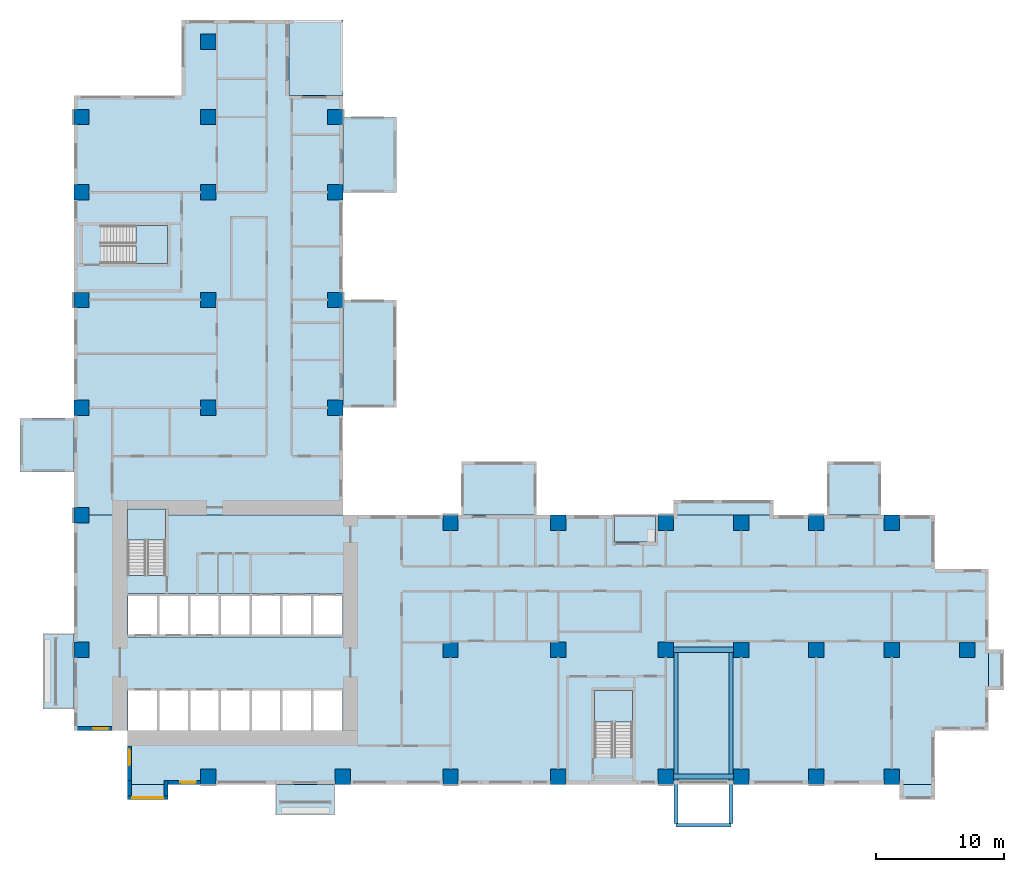
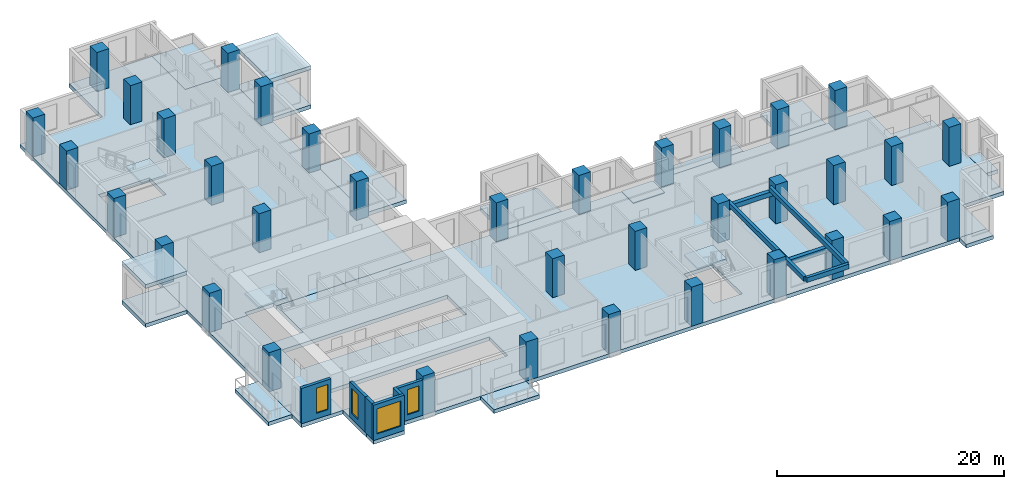
# One storey, part 1 of 14: 36 columns, 20 slabs, 6 walls, 5 beams, 4 windows, 4 openings, 3 elements without a shape of their own.
"""IFC4 building model written with IfcOpenShell, lengths in metres."""

from ifc_helpers import new_model, si_unit, direction, frame, frame_2d, origin, origin_2d, place, context, subcontext, project, spatial, polyline, rectangle, outline, extrude, source, transform, mapped, material, layer, layer_set, material_profile, profile_set, type_object, element, fill, aggregate, save


model = new_model("IFC4")

# Units and contexts
model_context = context("Model", 3, precision=1e-05, world=origin(), true_north=direction((0.0, 1.0)))
body_context = subcontext(model_context, "Body", "Model", "MODEL_VIEW")
ifc_project = project(units=[si_unit("LENGTHUNIT", "METRE"), si_unit("AREAUNIT", "SQUARE_METRE"), si_unit("VOLUMEUNIT", "CUBIC_METRE"), si_unit("PLANEANGLEUNIT", "RADIAN"), si_unit("MASSUNIT", "GRAM", prefix="KILO")], contexts=[model_context])

# Site, building, storey
site_placement = place(None, origin())
site = spatial("IfcSite", under=ifc_project, at=site_placement, CompositionType="ELEMENT")
building_placement = place(site_placement, origin())
building = spatial("IfcBuilding", under=site, at=building_placement, Name="Aurelian Terraces", CompositionType="ELEMENT")
storey_placement = place(building_placement, frame((0.0, 0.0, 90.9)))
storey = spatial("IfcBuildingStorey", under=building, at=storey_placement, Name="L19", CompositionType="ELEMENT", Elevation=90.9)

# Columns
ifc_material_1 = material(Name="Concrete fc' 83 MPa", Category="concrete")
ifc_material_profile_1 = material_profile(ifc_material_1, rectangle(XDim=1.2, YDim=1.2, at=origin_2d()))
ifc_profile_set_1 = profile_set([ifc_material_profile_1], Name="Concrete fc' 83 MPa")
column_type = type_object("IfcColumnType", Name="RC COLUMN 1200X1200 FC83", PredefinedType="COLUMN", material=ifc_profile_set_1)
shared_shape_1 = source(origin(), body_context, "Body", "SweptSolid", [
    extrude(rectangle(XDim=1.2, YDim=1.2, at=origin_2d()), origin(), (0.0, 0.0, 1.0), 4.2),
])
for number, where, z_axis, x_axis, name in (
    (1, (10.5, 0.6, 0.0), (0.0, 0.0, 1.0), (1.0, 0.0, 0.0), "Column 2/A L19"),
    (2, (21.0, 0.6, 0.0), (0.0, 0.0, 1.0), (1.0, 0.0, 0.0), "Column 3/A L19"),
    (3, (29.4, 0.6, 0.0), (0.0, 0.0, 1.0), (1.0, 0.0, 0.0), "Column 4/A L19"),
    (4, (37.8, 0.6, 0.0), (0.0, 0.0, 1.0), (1.0, 0.0, 0.0), "Column 5/A L19"),
    (5, (46.2, 0.6, 0.0), (0.0, 0.0, 1.0), (1.0, 0.0, 0.0), "Column 6/A L19"),
    (6, (52.08, 0.6, 0.0), (0.0, 0.0, 1.0), (1.0, 0.0, 0.0), "Column 7/A L19"),
    (7, (57.96, 0.6, 0.0), (0.0, 0.0, 1.0), (1.0, 0.0, 0.0), "Column 8/A L19"),
    (8, (63.84, 0.6, 0.0), (0.0, 0.0, 1.0), (1.0, 0.0, 0.0), "Column 9/A L19"),
    (9, (0.6, 10.5, 0.0), (0.0, 0.0, 1.0), (1.0, 0.0, 0.0), "Column 1/B L19"),
    (10, (29.4, 10.5, 0.0), (0.0, 0.0, 1.0), (1.0, 0.0, 0.0), "Column 4/B L19"),
    (11, (37.8, 10.5, 0.0), (0.0, 0.0, 1.0), (1.0, 0.0, 0.0), "Column 5/B L19"),
    (12, (46.2, 10.5, 0.0), (0.0, 0.0, 1.0), (1.0, 0.0, 0.0), "Column 6/B L19"),
    (13, (52.08, 10.5, 0.0), (0.0, 0.0, 1.0), (1.0, 0.0, 0.0), "Column 7/B L19"),
    (14, (57.96, 10.5, 0.0), (0.0, 0.0, 1.0), (1.0, 0.0, 0.0), "Column 8/B L19"),
    (15, (63.84, 10.5, 0.0), (0.0, 0.0, 1.0), (1.0, 0.0, 0.0), "Column 9/B L19"),
    (16, (69.72, 10.5, 0.0), (0.0, 0.0, 1.0), (1.0, 0.0, 0.0), "Column 10/B L19"),
    (17, (0.6, 21.0, 0.0), (0.0, 0.0, 1.0), (1.0, 0.0, 0.0), "Column 1/C L19"),
    (18, (29.4, 20.4, 0.0), (0.0, 0.0, 1.0), (1.0, 0.0, 0.0), "Column 4/C L19"),
    (19, (37.8, 20.4, 0.0), (0.0, 0.0, 1.0), (1.0, 0.0, 0.0), "Column 5/C L19"),
    (20, (46.2, 20.4, 0.0), (0.0, 0.0, 1.0), (1.0, 0.0, 0.0), "Column 6/C L19"),
    (21, (52.08, 20.4, 0.0), (0.0, 0.0, 1.0), (1.0, 0.0, 0.0), "Column 7/C L19"),
    (22, (57.96, 20.4, 0.0), (0.0, 0.0, 1.0), (1.0, 0.0, 0.0), "Column 8/C L19"),
    (23, (63.84, 20.4, 0.0), (0.0, 0.0, 1.0), (1.0, 0.0, 0.0), "Column 9/C L19"),
    (24, (0.6, 29.4, 0.0), (0.0, 0.0, 1.0), (1.0, 0.0, 0.0), "Column 1/D L19"),
    (25, (10.5, 29.4, 0.0), (0.0, 0.0, 1.0), (1.0, 0.0, 0.0), "Column 2/D L19"),
    (26, (20.4, 29.4, 0.0), (0.0, 0.0, 1.0), (1.0, 0.0, 0.0), "Column 3/D L19"),
    (27, (0.6, 37.8, 0.0), (0.0, 0.0, 1.0), (1.0, 0.0, 0.0), "Column 1/E L19"),
    (28, (10.5, 37.8, 0.0), (0.0, 0.0, 1.0), (1.0, 0.0, 0.0), "Column 2/E L19"),
    (29, (20.4, 37.8, 0.0), (0.0, 0.0, 1.0), (1.0, 0.0, 0.0), "Column 3/E L19"),
    (30, (0.6, 46.2, 0.0), (0.0, 0.0, 1.0), (1.0, 0.0, 0.0), "Column 1/F L19"),
    (31, (10.5, 46.2, 0.0), (0.0, 0.0, 1.0), (1.0, 0.0, 0.0), "Column 2/F L19"),
    (32, (20.4, 46.2, 0.0), (0.0, 0.0, 1.0), (1.0, 0.0, 0.0), "Column 3/F L19"),
    (33, (0.6, 52.08, 0.0), (0.0, 0.0, 1.0), (1.0, 0.0, 0.0), "Column 1/G L19"),
    (34, (10.5, 52.08, 0.0), (0.0, 0.0, 1.0), (1.0, 0.0, 0.0), "Column 2/G L19"),
    (35, (20.4, 52.08, 0.0), (0.0, 0.0, 1.0), (1.0, 0.0, 0.0), "Column 3/G L19"),
    (36, (10.5, 57.96, 0.0), (0.0, 0.0, 1.0), (1.0, 0.0, 0.0), "Column 2/H L19"),
):
    element("IfcColumn", number, at=place(storey_placement, frame(where, z_axis=z_axis, x_axis=x_axis)), inside=storey, type_object=column_type, Name=name, PredefinedType="COLUMN", context=body_context, shape_type="MappedRepresentation", body=[
        mapped(shared_shape_1, transform((0.0, 0.0, 0.0), scale=1.0)),
    ])

# Beams
ifc_material_2 = material(Name="Concrete fc' 40 MPa", Category="concrete")
ifc_material_profile_2 = material_profile(ifc_material_2, rectangle(XDim=0.4, YDim=0.5, at=origin_2d()))
ifc_profile_set_2 = profile_set([ifc_material_profile_2], Name="Concrete fc' 40 MPa")
beam_type_1 = type_object("IfcBeamType", Name="CONCRETE EDGE GIRDER 400X500", PredefinedType="BEAM", material=ifc_profile_set_2)
shared_shape_2 = source(origin(), body_context, "Body", "SweptSolid", [
    extrude(rectangle(XDim=0.4, YDim=0.5, at=origin_2d()), origin(), (0.0, 0.0, 1.0), 4.68),
])
for number, where, z_axis, x_axis, name in (
    (37, (46.8, 0.6, 3.05), (1.0, 0.0, 0.0), (0.0, 1.0, 0.0), "Box girder L19 O59"),
    (38, (46.8, 10.5, 3.05), (1.0, 0.0, 0.0), (0.0, 1.0, 0.0), "Box girder L19 I60"),
):
    element("IfcBeam", number, at=place(storey_placement, frame(where, z_axis=z_axis, x_axis=x_axis)), inside=storey, type_object=beam_type_1, Name=name, PredefinedType="BEAM", context=body_context, shape_type="MappedRepresentation", body=[
        mapped(shared_shape_2, transform((0.0, 0.0, 0.0), scale=1.0)),
    ])
ifc_material_profile_3 = material_profile(ifc_material_2, rectangle(XDim=0.3, YDim=0.5, at=origin_2d()))
ifc_profile_set_3 = profile_set([ifc_material_profile_3], Name="Concrete fc' 40 MPa")
beam_type_2 = type_object("IfcBeamType", Name="CONCRETE CANTILEVER BEAM 300X500", PredefinedType="BEAM", material=ifc_profile_set_3)
shared_shape_3 = source(origin(), body_context, "Body", "SweptSolid", [
    extrude(rectangle(XDim=0.3, YDim=0.5, at=origin_2d()), origin(), (0.0, 0.0, 1.0), 13.55),
])
for number, where, z_axis, x_axis, name in (
    (39, (47.0, -3.05, 3.55), (0.0, 1.0, 0.0), (-1.0, 0.0, 0.0), "Box cantilever beam J28.1"),
    (40, (51.28, -3.05, 3.55), (0.0, 1.0, 0.0), (-1.0, 0.0, 0.0), "Box cantilever beam J28.2"),
):
    element("IfcBeam", number, at=place(storey_placement, frame(where, z_axis=z_axis, x_axis=x_axis)), inside=storey, type_object=beam_type_2, Name=name, PredefinedType="BEAM", context=body_context, shape_type="MappedRepresentation", body=[
        mapped(shared_shape_3, transform((0.0, 0.0, 0.0), scale=1.0)),
    ])
shared_shape_4 = source(origin(), body_context, "Body", "SweptSolid", [
    extrude(rectangle(XDim=0.3, YDim=0.5, at=origin_2d()), origin(), (0.0, 0.0, 1.0), 4.28),
])
beam_placement = place(storey_placement, frame((47.0, -3.2, 3.55), z_axis=(1.0, 0.0, 0.0), x_axis=(0.0, 1.0, 0.0)))
element("IfcBeam", 41, at=beam_placement, inside=storey, type_object=beam_type_2, Name="Box tip beam J28", PredefinedType="BEAM", context=body_context, shape_type="MappedRepresentation", body=[
    mapped(shared_shape_4, transform((0.0, 0.0, 0.0), scale=1.0)),
])

# Slabs
ifc_layer_1 = layer(ifc_material_2, 0.4)
ifc_layer_set_1 = layer_set([ifc_layer_1], Name="Bay floor 400")
slab_type_1 = type_object("IfcSlabType", Name="Bay floor 400", PredefinedType="NOTDEFINED", material=ifc_layer_set_1)
slab_1_placement = place(storey_placement, frame((0.0, 0.0, -0.4)))
element("IfcSlab", 42, at=slab_1_placement, inside=storey, type_object=slab_type_1, Name="Bay floor L19 F07.21", PredefinedType="NOTDEFINED", context=body_context, shape_type="SweptSolid", body=[
    extrude(outline(polyline([(54.6, 21.0), (46.8, 21.0), (46.8, 22.2), (54.6, 22.2), (54.6, 21.0)])), origin(), (0.0, 0.0, 1.0), 0.4),
])
ifc_layer_2 = layer(ifc_material_2, 0.4)
ifc_layer_set_2 = layer_set([ifc_layer_2], Name="Box roof 400")
slab_type_2 = type_object("IfcSlabType", Name="Box roof 400", PredefinedType="ROOF", material=ifc_layer_set_2)
slab_2_placement = place(storey_placement, frame((0.0, 0.0, 3.8)))
element("IfcSlab", 43, at=slab_2_placement, inside=storey, type_object=slab_type_2, Name="Box roof J24", PredefinedType="ROOF", context=body_context, shape_type="SweptSolid", body=[
    extrude(outline(polyline([(-4.2, 28.56), (-4.2, 24.36), (0.0, 24.36), (0.0, 28.56), (-4.2, 28.56)])), origin(), (0.0, 0.0, 1.0), 0.4),
])
ifc_material_3 = material(Name="Granite paving", Category="masonry")
ifc_layer_3 = layer(ifc_material_3, 0.05)
ifc_layer_set_3 = layer_set([ifc_layer_3], Name="Loggia paving 50")
slab_type_3 = type_object("IfcSlabType", Name="Loggia paving 50", PredefinedType="NOTDEFINED", material=ifc_layer_set_3)
slab_3_placement = place(storey_placement, origin())
element("IfcSlab", 44, at=slab_3_placement, inside=storey, type_object=slab_type_3, Name="Loggia floor L19 F07.22", PredefinedType="NOTDEFINED", context=body_context, shape_type="SweptSolid", body=[
    extrude(outline(polyline([(45.4, 21.0), (42.2, 21.0), (42.2, 18.9), (45.4, 18.9), (45.4, 21.0)])), origin(), (0.0, 0.0, 1.0), 0.05),
])
ifc_layer_4 = layer(ifc_material_2, 0.4)
ifc_layer_set_4 = layer_set([ifc_layer_4], Name="PT FLAT PLATE 400")
slab_type_4 = type_object("IfcSlabType", Name="PT FLAT PLATE 400", PredefinedType="FLOOR", material=ifc_layer_set_4)
slab_4_placement = place(storey_placement, frame((0.0, 0.0, -0.4)))
element("IfcSlab", 45, at=slab_4_placement, inside=storey, type_object=slab_type_4, Name="Floor slab W L19", PredefinedType="FLOOR", context=body_context, shape_type="SweptSolid", body=[
    extrude(outline(polyline([(0.0, 53.76), (8.4, 53.76), (8.4, 59.64), (16.8, 59.64), (16.8, 53.76), (21.0, 53.76), (21.0, 21.0), (7.14, 21.0), (7.14, 21.49), (4.21, 21.49), (4.21, 21.0), (0.0, 21.0), (0.0, 53.76)]), holes=[polyline([(7.29, 43.59), (2.11, 43.59), (2.11, 40.66), (7.29, 40.66), (7.29, 43.59)])]), origin(), (0.0, 0.0, 1.0), 0.4),
])
ifc_layer_5 = layer(ifc_material_2, 0.4)
ifc_layer_set_5 = layer_set([ifc_layer_5], Name="Roof slab 400")
slab_type_5 = type_object("IfcSlabType", Name="Roof slab 400", PredefinedType="ROOF", material=ifc_layer_set_5)
slab_5_placement = place(storey_placement, frame((0.0, 0.0, -0.4)))
element("IfcSlab", 46, at=slab_5_placement, inside=storey, type_object=slab_type_5, Name="Roof slab L19 L19-X1", PredefinedType="ROOF", context=body_context, shape_type="SweptSolid", body=[
    extrude(outline(polyline([(21.0, 53.76), (16.8, 53.76), (16.8, 59.64), (21.0, 59.64), (21.0, 53.76)])), origin(), (0.0, 0.0, 1.0), 0.4),
])
shared_shape_5 = source(origin(), body_context, "Body", "SweptSolid", [
    extrude(outline(polyline([(71.4, 16.8), (71.4, 4.2), (67.2, 4.2), (67.2, 0.0), (21.0, 0.0), (4.2, 0.0), (4.2, 4.2), (0.0, 4.2), (0.0, 21.0), (4.21, 21.0), (4.21, 16.31), (7.14, 16.31), (7.14, 21.0), (21.0, 21.0), (67.2, 21.0), (67.2, 16.8), (71.4, 16.8)]), holes=[polyline([(40.66, 2.11), (43.59, 2.11), (43.59, 7.29), (40.66, 7.29), (40.66, 2.11)]), polyline([(4.21, 7.49), (4.21, 4.21), (20.99, 4.21), (20.99, 7.49), (4.21, 7.49)]), polyline([(4.21, 14.89), (4.21, 11.51), (20.99, 11.51), (20.99, 14.89), (4.21, 14.89)])]), origin(), (0.0, 0.0, 1.0), 0.4),
])
slab_6_placement = place(storey_placement, frame((0.0, 0.0, -0.4)))
element("IfcSlab", 47, at=slab_6_placement, inside=storey, type_object=slab_type_4, Name="Floor slab S L19", PredefinedType="FLOOR", context=body_context, shape_type="MappedRepresentation", body=[
    mapped(shared_shape_5, transform((0.0, 0.0, 0.0), scale=1.0)),
])
ifc_layer_6 = layer(ifc_material_2, 0.41)
ifc_layer_set_6 = layer_set([ifc_layer_6], Name="Box floor 410")
slab_type_6 = type_object("IfcSlabType", Name="Box floor 410", PredefinedType="NOTDEFINED", material=ifc_layer_set_6)
shared_shape_6 = source(origin(), body_context, "Body", "SweptSolid", [
    extrude(outline(polyline([(25.2, 46.2), (25.2, 52.08), (21.0, 52.08), (21.0, 46.2), (25.2, 46.2)])), origin(), (0.0, 0.0, 1.0), 0.41),
])
slab_7_placement = place(storey_placement, frame((0.0, 0.0, -0.41)))
element("IfcSlab", 48, at=slab_7_placement, inside=storey, type_object=slab_type_6, Name="Box floor L19 J23", PredefinedType="NOTDEFINED", context=body_context, shape_type="MappedRepresentation", body=[
    mapped(shared_shape_6, transform((0.0, 0.0, 0.0), scale=1.0)),
])
shared_shape_7 = source(origin(), body_context, "Body", "SweptSolid", [
    extrude(outline(polyline([(71.4, 7.35), (71.4, 10.5), (72.6, 10.5), (72.6, 7.35), (71.4, 7.35)])), origin(), (0.0, 0.0, 1.0), 0.4),
])
slab_8_placement = place(storey_placement, frame((0.0, 0.0, -0.4)))
element("IfcSlab", 49, at=slab_8_placement, inside=storey, type_object=slab_type_1, Name="Bay floor L19 F04.16", PredefinedType="NOTDEFINED", context=body_context, shape_type="MappedRepresentation", body=[
    mapped(shared_shape_7, transform((0.0, 0.0, 0.0), scale=1.0)),
])
shared_shape_8 = source(origin(), body_context, "Body", "SweptSolid", [
    extrude(outline(polyline([(25.2, 29.4), (25.2, 37.8), (21.0, 37.8), (21.0, 29.4), (25.2, 29.4)])), origin(), (0.0, 0.0, 1.0), 0.41),
])
slab_9_placement = place(storey_placement, frame((0.0, 0.0, -0.41)))
element("IfcSlab", 50, at=slab_9_placement, inside=storey, type_object=slab_type_6, Name="Box floor L19 J27", PredefinedType="NOTDEFINED", context=body_context, shape_type="MappedRepresentation", body=[
    mapped(shared_shape_8, transform((0.0, 0.0, 0.0), scale=1.0)),
])
shared_shape_9 = source(origin(), body_context, "Body", "SweptSolid", [
    extrude(outline(polyline([(4.2, 0.0), (7.35, 0.0), (7.35, -1.2), (4.2, -1.2), (4.2, 0.0)])), origin(), (0.0, 0.0, 1.0), 0.4),
])
slab_10_placement = place(storey_placement, frame((0.0, 0.0, -0.4)))
element("IfcSlab", 51, at=slab_10_placement, inside=storey, type_object=slab_type_1, Name="Bay floor L19 F01.1", PredefinedType="NOTDEFINED", context=body_context, shape_type="MappedRepresentation", body=[
    mapped(shared_shape_9, transform((0.0, 0.0, 0.0), scale=1.0)),
])
shared_shape_10 = source(origin(), body_context, "Body", "SweptSolid", [
    extrude(outline(polyline([(64.44, 0.0), (67.2, 0.0), (67.2, -1.2), (64.44, -1.2), (64.44, 0.0)])), origin(), (0.0, 0.0, 1.0), 0.4),
])
slab_11_placement = place(storey_placement, frame((0.0, 0.0, -0.4)))
element("IfcSlab", 52, at=slab_11_placement, inside=storey, type_object=slab_type_1, Name="Bay floor L19 F01.11", PredefinedType="NOTDEFINED", context=body_context, shape_type="MappedRepresentation", body=[
    mapped(shared_shape_10, transform((0.0, 0.0, 0.0), scale=1.0)),
])
shared_shape_11 = source(origin(), body_context, "Body", "SweptSolid", [
    extrude(outline(polyline([(36.12, 25.2), (30.24, 25.2), (30.24, 21.0), (36.12, 21.0), (36.12, 25.2)])), origin(), (0.0, 0.0, 1.0), 0.41),
])
slab_12_placement = place(storey_placement, frame((0.0, 0.0, -0.41)))
element("IfcSlab", 53, at=slab_12_placement, inside=storey, type_object=slab_type_6, Name="Box floor L19 J25", PredefinedType="NOTDEFINED", context=body_context, shape_type="MappedRepresentation", body=[
    mapped(shared_shape_11, transform((0.0, 0.0, 0.0), scale=1.0)),
])
ifc_layer_7 = layer(ifc_material_2, 0.4)
ifc_layer_set_7 = layer_set([ifc_layer_7], Name="Balcony slab 400")
slab_type_7 = type_object("IfcSlabType", Name="Balcony slab 400", PredefinedType="NOTDEFINED", material=ifc_layer_set_7)
shared_shape_12 = source(origin(), body_context, "Body", "SweptSolid", [
    extrude(outline(polyline([(15.75, 0.0), (20.4, 0.0), (20.4, -2.4), (15.75, -2.4), (15.75, 0.0)])), origin(), (0.0, 0.0, 1.0), 0.4),
])
slab_13_placement = place(storey_placement, frame((0.0, 0.0, -0.4)))
element("IfcSlab", 54, at=slab_13_placement, inside=storey, type_object=slab_type_7, Name="Balcony slab L19 F01.4", PredefinedType="NOTDEFINED", context=body_context, shape_type="MappedRepresentation", body=[
    mapped(shared_shape_12, transform((0.0, 0.0, 0.0), scale=1.0)),
])
shared_shape_13 = source(origin(), body_context, "Body", "SweptSolid", [
    extrude(outline(polyline([(63.0, 25.2), (58.8, 25.2), (58.8, 21.0), (63.0, 21.0), (63.0, 25.2)])), origin(), (0.0, 0.0, 1.0), 0.41),
])
slab_14_placement = place(storey_placement, frame((0.0, 0.0, -0.41)))
element("IfcSlab", 55, at=slab_14_placement, inside=storey, type_object=slab_type_6, Name="Box floor L19 J26", PredefinedType="NOTDEFINED", context=body_context, shape_type="MappedRepresentation", body=[
    mapped(shared_shape_13, transform((0.0, 0.0, 0.0), scale=1.0)),
])
shared_shape_14 = source(origin(), body_context, "Body", "SweptSolid", [
    extrude(outline(polyline([(25.2, 46.2), (25.2, 52.08), (21.0, 52.08), (21.0, 46.2), (25.2, 46.2)])), origin(), (0.0, 0.0, 1.0), 0.4),
])
slab_15_placement = place(storey_placement, frame((0.0, 0.0, 3.8)))
element("IfcSlab", 56, at=slab_15_placement, inside=storey, type_object=slab_type_2, Name="Box roof J23", PredefinedType="ROOF", context=body_context, shape_type="MappedRepresentation", body=[
    mapped(shared_shape_14, transform((0.0, 0.0, 0.0), scale=1.0)),
])
shared_shape_15 = source(origin(), body_context, "Body", "SweptSolid", [
    extrude(outline(polyline([(0.0, 11.76), (0.0, 5.88), (-2.4, 5.88), (-2.4, 11.76), (0.0, 11.76)])), origin(), (0.0, 0.0, 1.0), 0.4),
])
slab_16_placement = place(storey_placement, frame((0.0, 0.0, -0.4)))
element("IfcSlab", 57, at=slab_16_placement, inside=storey, type_object=slab_type_7, Name="Balcony slab L19 F14.36", PredefinedType="NOTDEFINED", context=body_context, shape_type="MappedRepresentation", body=[
    mapped(shared_shape_15, transform((0.0, 0.0, 0.0), scale=1.0)),
])
shared_shape_16 = source(origin(), body_context, "Body", "SweptSolid", [
    extrude(outline(polyline([(-4.2, 28.56), (-4.2, 24.36), (0.0, 24.36), (0.0, 28.56), (-4.2, 28.56)])), origin(), (0.0, 0.0, 1.0), 0.41),
])
slab_17_placement = place(storey_placement, frame((0.0, 0.0, -0.41)))
element("IfcSlab", 58, at=slab_17_placement, inside=storey, type_object=slab_type_6, Name="Box floor L19 J24", PredefinedType="NOTDEFINED", context=body_context, shape_type="MappedRepresentation", body=[
    mapped(shared_shape_16, transform((0.0, 0.0, 0.0), scale=1.0)),
])

# Stair, slab
stair_type = type_object("IfcStairType", Name="Stair 1400", PredefinedType="HALF_TURN_STAIR", material=ifc_material_2)
stair_1_placement = place(storey_placement, origin())
stair_1 = element("IfcStair", 59, at=stair_1_placement, inside=storey, type_object=stair_type, Name="L19 S1", PredefinedType="HALF_TURN_STAIR")
ifc_layer_8 = layer(ifc_material_2, 0.2)
ifc_layer_set_8 = layer_set([ifc_layer_8], Name="Stair landing 200")
slab_type_8 = type_object("IfcSlabType", Name="Stair landing 200", PredefinedType="LANDING", material=ifc_layer_set_8)
shared_shape_17 = source(origin(), body_context, "Body", "SweptSolid", [
    extrude(outline(polyline([(7.15, 19.05), (7.15, 21.5), (4.2, 21.5), (4.2, 19.05), (7.15, 19.05)])), origin(), (0.0, 0.0, 1.0), 0.2),
])
slab_18_placement = place(storey_placement, frame((0.0, 0.0, 1.9)))
slab_18 = element("IfcSlab", 60, at=slab_18_placement, type_object=slab_type_8, Name="S1 landing 1", PredefinedType="LANDING", context=body_context, shape_type="MappedRepresentation", body=[
    mapped(shared_shape_17, transform((0.0, 0.0, 0.0), scale=1.0)),
])
aggregate(stair_1, [slab_18])

stair_2_placement = place(storey_placement, origin())
stair_2 = element("IfcStair", 61, at=stair_2_placement, inside=storey, type_object=stair_type, Name="L19 S2", PredefinedType="HALF_TURN_STAIR")
shared_shape_18 = source(origin(), body_context, "Body", "SweptSolid", [
    extrude(outline(polyline([(43.6, 4.85), (43.6, 7.3), (40.65, 7.3), (40.65, 4.85), (43.6, 4.85)])), origin(), (0.0, 0.0, 1.0), 0.2),
])
slab_19_placement = place(storey_placement, frame((0.0, 0.0, 1.9)))
slab_19 = element("IfcSlab", 62, at=slab_19_placement, type_object=slab_type_8, Name="S2 landing 1", PredefinedType="LANDING", context=body_context, shape_type="MappedRepresentation", body=[
    mapped(shared_shape_18, transform((0.0, 0.0, 0.0), scale=1.0)),
])
aggregate(stair_2, [slab_19])

stair_3_placement = place(storey_placement, origin())
stair_3 = element("IfcStair", 63, at=stair_3_placement, inside=storey, type_object=stair_type, Name="L19 S3", PredefinedType="HALF_TURN_STAIR")
shared_shape_19 = source(origin(), body_context, "Body", "SweptSolid", [
    extrude(outline(polyline([(4.85, 40.65), (7.3, 40.65), (7.3, 43.6), (4.85, 43.6), (4.85, 40.65)])), origin(), (0.0, 0.0, 1.0), 0.2),
])
slab_20_placement = place(storey_placement, frame((0.0, 0.0, 1.9)))
slab_20 = element("IfcSlab", 64, at=slab_20_placement, type_object=slab_type_8, Name="S3 landing 1", PredefinedType="LANDING", context=body_context, shape_type="MappedRepresentation", body=[
    mapped(shared_shape_19, transform((0.0, 0.0, 0.0), scale=1.0)),
])
aggregate(stair_3, [slab_20])

# Wall, opening, window
ifc_material_4 = material(Name="Terracotta rainscreen cladding", Category="masonry")
ifc_layer_9 = layer(ifc_material_4, 0.3)
ifc_layer_set_9 = layer_set([ifc_layer_9], Name="EW-300")
wall_type = type_object("IfcWallType", Name="EW-300", PredefinedType="STANDARD", material=ifc_layer_set_9)
shared_shape_20 = source(origin(), body_context, "Body", "SweptSolid", [
    extrude(rectangle(XDim=3.15, YDim=0.3, at=frame_2d((1.575, 0.0))), origin(), (0.0, 0.0, 1.0), 3.8),
])
wall_1_placement = place(storey_placement, frame((4.2, -1.05, 0.0), z_axis=(0.0, 0.0, 1.0), x_axis=(1.0, 0.0, 0.0)))
wall_1 = element("IfcWall", 65, at=wall_1_placement, inside=storey, type_object=wall_type, Name="Bay wall L19 F01.1", PredefinedType="STANDARD", context=body_context, shape_type="MappedRepresentation", body=[
    mapped(shared_shape_20, transform((0.0, 0.0, 0.0), scale=1.0)),
])
shared_shape_21 = source(origin(), body_context, "Body", "SweptSolid", [
    extrude(rectangle(XDim=2.4, YDim=2.7, at=frame_2d((1.2, 1.35))), frame((0.0, 0.16, 0.0), z_axis=(0.0, -1.0, 0.0), x_axis=(1.0, 0.0, 0.0)), (0.0, 0.0, 1.0), 0.32),
])
opening_1_placement = place(wall_1_placement, frame((0.375, 0.0, 0.6)))
opening_1 = element("IfcOpeningElement", 66, at=opening_1_placement, cuts=wall_1, Name="Opening W2427", PredefinedType="OPENING", context=body_context, shape_type="MappedRepresentation", body=[
    mapped(shared_shape_21, transform((0.0, 0.0, 0.0), scale=1.0)),
])
ifc_material_5 = material(Name="Clear glazing", Category="glass")
window_type_1 = type_object("IfcWindowType", Name="W-2400x2700", PartitioningType="SINGLE_PANEL", PredefinedType="WINDOW", material=ifc_material_5)
shared_shape_22 = source(origin(), body_context, "Body", "SweptSolid", [
    extrude(rectangle(XDim=2.4, YDim=2.7, at=frame_2d((1.2, 1.35))), frame((0.0, 0.03, 0.0), z_axis=(0.0, -1.0, 0.0), x_axis=(1.0, 0.0, 0.0)), (0.0, 0.0, 1.0), 0.06),
])
window_1_placement = place(opening_1_placement, origin())
window_1 = element("IfcWindow", 67, at=window_1_placement, inside=storey, type_object=window_type_1, Name="Window L19 L19-F01-01-0", OverallHeight=2.7, OverallWidth=2.4, PartitioningType="SINGLE_PANEL", PredefinedType="WINDOW", context=body_context, shape_type="MappedRepresentation", body=[
    mapped(shared_shape_22, transform((0.0, 0.0, 0.0), scale=1.0)),
])
fill(opening_1, window_1)

# Walls
shared_shape_23 = source(origin(), body_context, "Body", "SweptSolid", [
    extrude(rectangle(XDim=1.2, YDim=0.3, at=frame_2d((0.6, 0.0))), origin(), (0.0, 0.0, 1.0), 3.8),
])
for number, where, z_axis, x_axis, name in (
    (68, (4.35, 0.3, 0.0), (0.0, 0.0, 1.0), (0.0, -1.0, 0.0), "Bay return L19 F01.1.1"),
    (69, (7.2, 0.3, 0.0), (0.0, 0.0, 1.0), (0.0, -1.0, 0.0), "Bay return L19 F01.1.2"),
):
    element("IfcWall", number, at=place(storey_placement, frame(where, z_axis=z_axis, x_axis=x_axis)), inside=storey, type_object=wall_type, Name=name, PredefinedType="STANDARD", context=body_context, shape_type="MappedRepresentation", body=[
        mapped(shared_shape_23, transform((0.0, 0.0, 0.0), scale=1.0)),
    ])

# Wall, opening, window
shared_shape_24 = source(origin(), body_context, "Body", "SweptSolid", [
    extrude(rectangle(XDim=3.0, YDim=0.3, at=frame_2d((1.5, 0.0))), origin(), (0.0, 0.0, 1.0), 3.8),
])
wall_2_placement = place(storey_placement, frame((0.0, 4.35, 0.0), z_axis=(0.0, 0.0, 1.0), x_axis=(1.0, 0.0, 0.0)))
wall_2 = element("IfcWall", 70, at=wall_2_placement, inside=storey, type_object=wall_type, Name="External wall L19 F15.38", PredefinedType="STANDARD", context=body_context, shape_type="MappedRepresentation", body=[
    mapped(shared_shape_24, transform((0.0, 0.0, 0.0), scale=1.0)),
])
shared_shape_25 = source(origin(), body_context, "Body", "SweptSolid", [
    extrude(rectangle(XDim=1.2, YDim=2.7, at=frame_2d((0.6, 1.35))), frame((0.0, 0.16, 0.0), z_axis=(0.0, -1.0, 0.0), x_axis=(1.0, 0.0, 0.0)), (0.0, 0.0, 1.0), 0.32),
])
opening_2_placement = place(wall_2_placement, frame((1.5, 0.0, 0.6)))
opening_2 = element("IfcOpeningElement", 71, at=opening_2_placement, cuts=wall_2, Name="Opening W1227", PredefinedType="OPENING", context=body_context, shape_type="MappedRepresentation", body=[
    mapped(shared_shape_25, transform((0.0, 0.0, 0.0), scale=1.0)),
])
window_type_2 = type_object("IfcWindowType", Name="W-1200x2700", PartitioningType="SINGLE_PANEL", PredefinedType="WINDOW", material=ifc_material_5)
shared_shape_26 = source(origin(), body_context, "Body", "SweptSolid", [
    extrude(rectangle(XDim=1.2, YDim=2.7, at=frame_2d((0.6, 1.35))), frame((0.0, 0.03, 0.0), z_axis=(0.0, -1.0, 0.0), x_axis=(1.0, 0.0, 0.0)), (0.0, 0.0, 1.0), 0.06),
])
window_2_placement = place(opening_2_placement, origin())
window_2 = element("IfcWindow", 72, at=window_2_placement, inside=storey, type_object=window_type_2, Name="Window L19 L19-F15-38-0", OverallHeight=2.7, OverallWidth=1.2, PartitioningType="SINGLE_PANEL", PredefinedType="WINDOW", context=body_context, shape_type="MappedRepresentation", body=[
    mapped(shared_shape_26, transform((0.0, 0.0, 0.0), scale=1.0)),
])
fill(opening_2, window_2)

wall_3_placement = place(storey_placement, frame((4.35, 3.0, 0.0), z_axis=(0.0, 0.0, 1.0), x_axis=(0.0, -1.0, 0.0)))
wall_3 = element("IfcWall", 73, at=wall_3_placement, inside=storey, type_object=wall_type, Name="External wall L19 F16.39", PredefinedType="STANDARD", context=body_context, shape_type="MappedRepresentation", body=[
    mapped(shared_shape_24, transform((0.0, 0.0, 0.0), scale=1.0)),
])
opening_3_placement = place(wall_3_placement, frame((0.3, 0.0, 0.6)))
opening_3 = element("IfcOpeningElement", 74, at=opening_3_placement, cuts=wall_3, Name="Opening W1227", PredefinedType="OPENING", context=body_context, shape_type="MappedRepresentation", body=[
    mapped(shared_shape_25, transform((0.0, 0.0, 0.0), scale=1.0)),
])
window_3_placement = place(opening_3_placement, origin())
window_3 = element("IfcWindow", 75, at=window_3_placement, inside=storey, type_object=window_type_2, Name="Window L19 L19-F16-39-0", OverallHeight=2.7, OverallWidth=1.2, PartitioningType="SINGLE_PANEL", PredefinedType="WINDOW", context=body_context, shape_type="MappedRepresentation", body=[
    mapped(shared_shape_26, transform((0.0, 0.0, 0.0), scale=1.0)),
])
fill(opening_3, window_3)

shared_shape_27 = source(origin(), body_context, "Body", "SweptSolid", [
    extrude(rectangle(XDim=2.55, YDim=0.3, at=frame_2d((1.275, 0.0))), origin(), (0.0, 0.0, 1.0), 3.8),
])
wall_4_placement = place(storey_placement, frame((7.35, 0.15, 0.0), z_axis=(0.0, 0.0, 1.0), x_axis=(1.0, 0.0, 0.0)))
wall_4 = element("IfcWall", 76, at=wall_4_placement, inside=storey, type_object=wall_type, Name="External wall L19 F01.2", PredefinedType="STANDARD", context=body_context, shape_type="MappedRepresentation", body=[
    mapped(shared_shape_27, transform((0.0, 0.0, 0.0), scale=1.0)),
])
opening_4_placement = place(wall_4_placement, frame((0.975, 0.0, 0.6)))
opening_4 = element("IfcOpeningElement", 77, at=opening_4_placement, cuts=wall_4, Name="Opening W1227", PredefinedType="OPENING", context=body_context, shape_type="MappedRepresentation", body=[
    mapped(shared_shape_25, transform((0.0, 0.0, 0.0), scale=1.0)),
])
window_4_placement = place(opening_4_placement, origin())
window_4 = element("IfcWindow", 78, at=window_4_placement, inside=storey, type_object=window_type_2, Name="Window L19 L19-F01-02-0", OverallHeight=2.7, OverallWidth=1.2, PartitioningType="SINGLE_PANEL", PredefinedType="WINDOW", context=body_context, shape_type="MappedRepresentation", body=[
    mapped(shared_shape_26, transform((0.0, 0.0, 0.0), scale=1.0)),
])
fill(opening_4, window_4)

save(model, "model.ifc")
